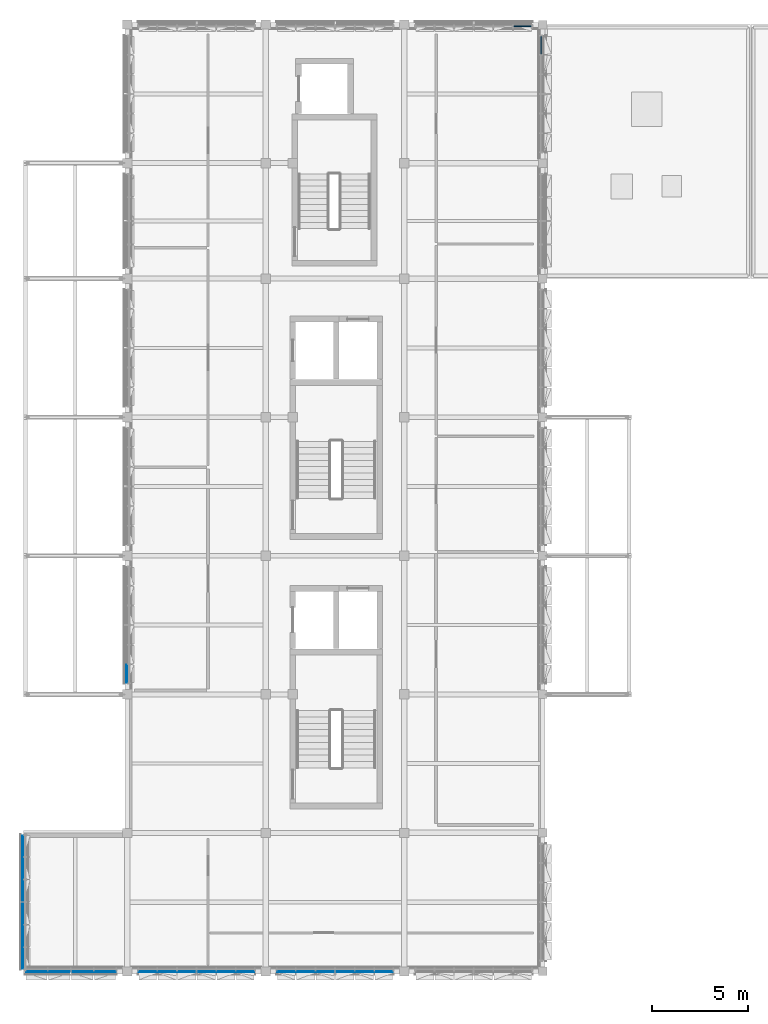
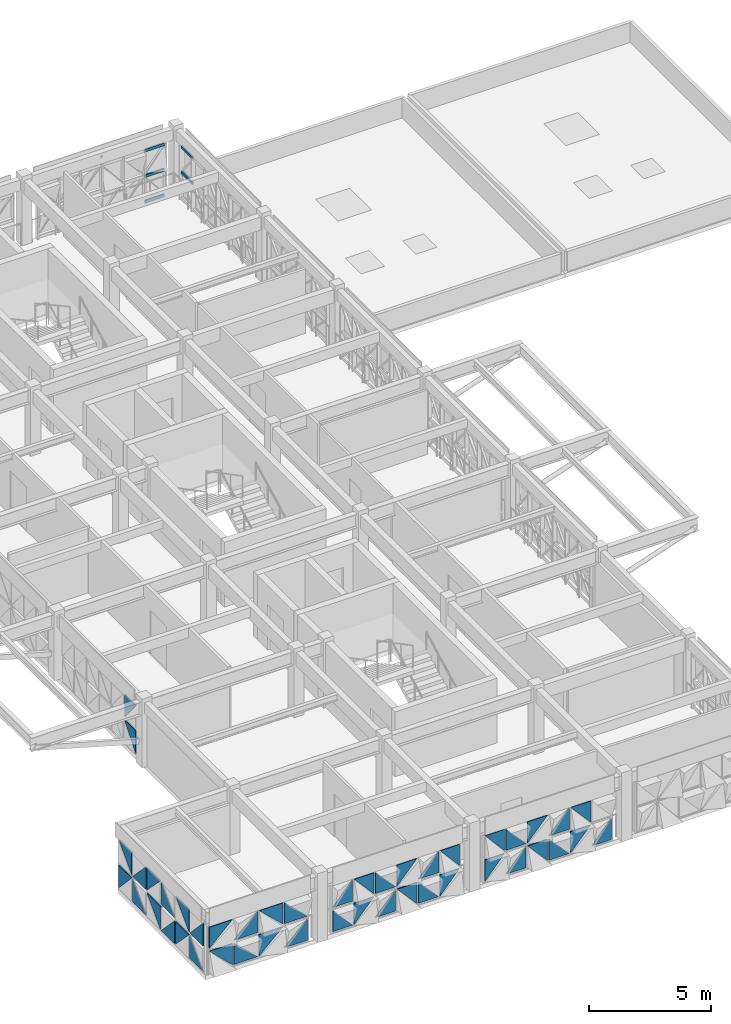
# One storey, part 11 of 30: 45 plates, 5 members, 7 elements without a shape of their own.
"""IFC4 building model written with IfcOpenShell, lengths in metres."""

from ifc_helpers import new_model, si_unit, direction, frame, origin, origin_2d, place, context, subcontext, project, spatial, polyline, rectangle, outline, extrude, material, layer, layer_set, material_profile, profile_set, type_object, element, aggregate, save


model = new_model("IFC4")

# Units and contexts
model_context = context("Model", 3, precision=1e-05, world=origin(), true_north=direction((0.0, 1.0)))
body_context = subcontext(model_context, "Body", "Model", "MODEL_VIEW")
ifc_project = project(units=[si_unit("LENGTHUNIT", "METRE"), si_unit("AREAUNIT", "SQUARE_METRE"), si_unit("VOLUMEUNIT", "CUBIC_METRE"), si_unit("PLANEANGLEUNIT", "RADIAN"), si_unit("MASSUNIT", "GRAM", prefix="KILO")], contexts=[model_context])

# Site, building, storey
site_placement = place(None, origin())
site = spatial("IfcSite", under=ifc_project, at=site_placement, CompositionType="ELEMENT")
building_placement = place(site_placement, origin())
building = spatial("IfcBuilding", under=site, at=building_placement, Name="Alvorim Cloister Faculty of Sciences", CompositionType="ELEMENT")
storey_placement = place(building_placement, frame((0.0, 0.0, 26.25)))
storey = spatial("IfcBuildingStorey", under=building, at=storey_placement, Name="L07", CompositionType="ELEMENT", Elevation=26.25)

# Curtain wall, members
ifc_material_1 = material(Name="Aluminium and Low-E Glass Curtain Wall", Category="aluminium")
curtain_wall_type_1 = type_object("IfcCurtainWallType", Name="CW-TRI-6120x2700", PredefinedType="USERDEFINED", material=ifc_material_1)
curtain_wall_1_placement = place(storey_placement, origin())
curtain_wall_1 = element("IfcCurtainWall", 1, at=curtain_wall_1_placement, inside=storey, type_object=curtain_wall_type_1, Name="L07 Diagonal Cassette Curtain Wall CW-0274", ObjectType="UNITISED CURTAIN WALL", PredefinedType="USERDEFINED")
ifc_material_2 = material(Name="Aluminium Alloy 6063-T6", Category="aluminium")
ifc_material_profile = material_profile(ifc_material_2, rectangle(XDim=0.06494140625, YDim=0.139892578125, at=origin_2d()), Name="ALU-TRN-65x140")
ifc_profile_set = profile_set([ifc_material_profile], Name="Aluminium Alloy 6063-T6")
member_type = type_object("IfcMemberType", Name="CW-TRN-65x140", PredefinedType="USERDEFINED", material=ifc_profile_set)
member_1_placement = place(storey_placement, frame((27.2724609375, 56.31005859375, 0.070068359375), z_axis=(1.0, 0.0, 0.0), x_axis=(0.0, 1.0, 0.0)))
member_1 = element("IfcMember", 2, at=member_1_placement, type_object=member_type, Name="CW-0274 Transom 6.1", ObjectType="TRANSOM", PredefinedType="USERDEFINED", context=body_context, shape_type="SweptSolid", body=[
    extrude(rectangle(XDim=0.06494140625, YDim=0.139892578125, at=origin_2d()), origin(), (0.0, 0.0, 1.0), 0.922607421875),
])
member_2_placement = place(storey_placement, frame((27.2724609375, 56.31005859375, 1.35009765625), z_axis=(1.0, 0.0, 0.0), x_axis=(0.0, 1.0, 0.0)))
member_2 = element("IfcMember", 3, at=member_2_placement, type_object=member_type, Name="CW-0274 Transom 6.2", ObjectType="TRANSOM", PredefinedType="USERDEFINED", context=body_context, shape_type="SweptSolid", body=[
    extrude(rectangle(XDim=0.06494140625, YDim=0.139892578125, at=origin_2d()), origin(), (0.0, 0.0, 1.0), 0.922607421875),
])
member_3_placement = place(storey_placement, frame((27.2724609375, 56.31005859375, 2.6298828125), z_axis=(1.0, 0.0, 0.0), x_axis=(0.0, 1.0, 0.0)))
member_3 = element("IfcMember", 4, at=member_3_placement, type_object=member_type, Name="CW-0274 Transom 6.3", ObjectType="TRANSOM", PredefinedType="USERDEFINED", context=body_context, shape_type="SweptSolid", body=[
    extrude(rectangle(XDim=0.06494140625, YDim=0.139892578125, at=origin_2d()), origin(), (0.0, 0.0, 1.0), 0.922607421875),
])
aggregate(curtain_wall_1, [member_1, member_2, member_3])

curtain_wall_2_placement = place(storey_placement, origin())
curtain_wall_2 = element("IfcCurtainWall", 5, at=curtain_wall_2_placement, inside=storey, type_object=curtain_wall_type_1, Name="L07 Diagonal Cassette Curtain Wall CW-0275", ObjectType="UNITISED CURTAIN WALL", PredefinedType="USERDEFINED")
member_4_placement = place(storey_placement, frame((28.7099609375, 54.87255859375, 1.35009765625), z_axis=(0.0, 1.0, 0.0), x_axis=(-1.0, 0.0, 0.0)))
member_4 = element("IfcMember", 6, at=member_4_placement, type_object=member_type, Name="CW-0275 Transom 6.2", ObjectType="TRANSOM", PredefinedType="USERDEFINED", context=body_context, shape_type="SweptSolid", body=[
    extrude(rectangle(XDim=0.06494140625, YDim=0.139892578125, at=origin_2d()), origin(), (0.0, 0.0, 1.0), 0.92236328125),
])
member_5_placement = place(storey_placement, frame((28.7099609375, 54.87255859375, 2.6298828125), z_axis=(0.0, 1.0, 0.0), x_axis=(-1.0, 0.0, 0.0)))
member_5 = element("IfcMember", 7, at=member_5_placement, type_object=member_type, Name="CW-0275 Transom 6.3", ObjectType="TRANSOM", PredefinedType="USERDEFINED", context=body_context, shape_type="SweptSolid", body=[
    extrude(rectangle(XDim=0.06494140625, YDim=0.139892578125, at=origin_2d()), origin(), (0.0, 0.0, 1.0), 0.92236328125),
])
aggregate(curtain_wall_2, [member_4, member_5])

# Curtain wall, plates
curtain_wall_type_2 = type_object("IfcCurtainWallType", Name="CW-TRI-6120x2556", PredefinedType="USERDEFINED", material=ifc_material_1)
curtain_wall_3_placement = place(storey_placement, origin())
curtain_wall_3 = element("IfcCurtainWall", 8, at=curtain_wall_3_placement, inside=storey, type_object=curtain_wall_type_2, Name="L07 Diagonal Cassette Curtain Wall CW-0263", ObjectType="UNITISED CURTAIN WALL", PredefinedType="USERDEFINED")
ifc_material_3 = material(Name="Double Low-E Laminated Glass", Category="glass")
ifc_layer = layer(ifc_material_3, 0.0400390625)
ifc_layer_set = layer_set([ifc_layer], Name="Double Low-E Laminated Glass")
plate_type = type_object("IfcPlateType", Name="PN-GLZ-40", PredefinedType="CURTAIN_PANEL", material=ifc_layer_set)
plate_1_placement = place(storey_placement, frame((15.0048828125, 7.175048828125, 0.139892578125), z_axis=(0.0, 0.0, 1.0), x_axis=(1.0, 0.0, 0.0)))
plate_1 = element("IfcPlate", 9, at=plate_1_placement, type_object=plate_type, Name="Diagonal Glazed Triangle TRI-TL", PredefinedType="CURTAIN_PANEL", context=body_context, shape_type="SweptSolid", body=[
    extrude(outline(polyline([(0.920654296875, 1.068115234375), (0.0, 1.068115234375), (0.0, 0.001953125), (0.920654296875, 1.068115234375)])), frame((0.0, 0.02490234375, 0.0), z_axis=(0.0, -1.0, 0.0), x_axis=(1.0, 0.0, 0.0)), (0.0, 0.0, 1.0), 0.050048828125),
])
plate_2_placement = place(storey_placement, frame((15.0048828125, 7.175048828125, 1.347900390625), z_axis=(0.0, 0.0, 1.0), x_axis=(1.0, 0.0, 0.0)))
plate_2 = element("IfcPlate", 10, at=plate_2_placement, type_object=plate_type, Name="Diagonal Glazed Triangle TRI-TR", PredefinedType="CURTAIN_PANEL", context=body_context, shape_type="SweptSolid", body=[
    extrude(outline(polyline([(0.922607421875, 0.001953125), (0.922607421875, 1.068115234375), (0.001953125, 1.068115234375), (0.922607421875, 0.001953125)])), frame((0.0, 0.02490234375, 0.0), z_axis=(0.0, -1.0, 0.0), x_axis=(1.0, 0.0, 0.0)), (0.0, 0.0, 1.0), 0.050048828125),
])
plate_3_placement = place(storey_placement, frame((15.992431640625, 7.175048828125, 0.139892578125), z_axis=(0.0, 0.0, 1.0), x_axis=(1.0, 0.0, 0.0)))
plate_3 = element("IfcPlate", 11, at=plate_3_placement, type_object=plate_type, Name="Diagonal Glazed Triangle TRI-BR", PredefinedType="CURTAIN_PANEL", context=body_context, shape_type="SweptSolid", body=[
    extrude(outline(polyline([(0.001953125, 0.0), (0.955078125, 0.0), (0.955078125, 1.066162109375), (0.001953125, 0.0)])), frame((0.0, 0.02490234375, 0.0), z_axis=(0.0, -1.0, 0.0), x_axis=(1.0, 0.0, 0.0)), (0.0, 0.0, 1.0), 0.050048828125),
])
plate_4_placement = place(storey_placement, frame((15.992431640625, 7.175048828125, 1.347900390625), z_axis=(0.0, 0.0, 1.0), x_axis=(1.0, 0.0, 0.0)))
plate_4 = element("IfcPlate", 12, at=plate_4_placement, type_object=plate_type, Name="Diagonal Glazed Triangle TRI-BL", PredefinedType="CURTAIN_PANEL", context=body_context, shape_type="SweptSolid", body=[
    extrude(outline(polyline([(0.0, 0.0), (0.953125, 0.0), (0.0, 1.066162109375), (0.0, 0.0)])), frame((0.0, 0.02490234375, 0.0), z_axis=(0.0, -1.0, 0.0), x_axis=(1.0, 0.0, 0.0)), (0.0, 0.0, 1.0), 0.050048828125),
])
plate_5_placement = place(storey_placement, frame((17.012451171875, 7.175048828125, 0.139892578125), z_axis=(0.0, 0.0, 1.0), x_axis=(1.0, 0.0, 0.0)))
plate_5 = element("IfcPlate", 13, at=plate_5_placement, type_object=plate_type, Name="Diagonal Glazed Triangle TRI-TR", PredefinedType="CURTAIN_PANEL", context=body_context, shape_type="SweptSolid", body=[
    extrude(outline(polyline([(0.955078125, 0.001953125), (0.955078125, 1.068115234375), (0.001953125, 1.068115234375), (0.955078125, 0.001953125)])), frame((0.0, 0.02490234375, 0.0), z_axis=(0.0, -1.0, 0.0), x_axis=(1.0, 0.0, 0.0)), (0.0, 0.0, 1.0), 0.050048828125),
])
plate_6_placement = place(storey_placement, frame((17.012451171875, 7.175048828125, 1.347900390625), z_axis=(0.0, 0.0, 1.0), x_axis=(1.0, 0.0, 0.0)))
plate_6 = element("IfcPlate", 14, at=plate_6_placement, type_object=plate_type, Name="Diagonal Glazed Triangle TRI-TL", PredefinedType="CURTAIN_PANEL", context=body_context, shape_type="SweptSolid", body=[
    extrude(outline(polyline([(0.953125, 1.068115234375), (0.0, 1.068115234375), (0.0, 0.001953125), (0.953125, 1.068115234375)])), frame((0.0, 0.02490234375, 0.0), z_axis=(0.0, -1.0, 0.0), x_axis=(1.0, 0.0, 0.0)), (0.0, 0.0, 1.0), 0.050048828125),
])
plate_7_placement = place(storey_placement, frame((18.032470703125, 7.175048828125, 0.139892578125), z_axis=(0.0, 0.0, 1.0), x_axis=(1.0, 0.0, 0.0)))
plate_7 = element("IfcPlate", 15, at=plate_7_placement, type_object=plate_type, Name="Diagonal Glazed Triangle TRI-BL", PredefinedType="CURTAIN_PANEL", context=body_context, shape_type="SweptSolid", body=[
    extrude(outline(polyline([(0.0, 0.0), (0.953125, 0.0), (0.0, 1.066162109375), (0.0, 0.0)])), frame((0.0, 0.02490234375, 0.0), z_axis=(0.0, -1.0, 0.0), x_axis=(1.0, 0.0, 0.0)), (0.0, 0.0, 1.0), 0.050048828125),
])
plate_8_placement = place(storey_placement, frame((18.032470703125, 7.175048828125, 1.347900390625), z_axis=(0.0, 0.0, 1.0), x_axis=(1.0, 0.0, 0.0)))
plate_8 = element("IfcPlate", 16, at=plate_8_placement, type_object=plate_type, Name="Diagonal Glazed Triangle TRI-BR", PredefinedType="CURTAIN_PANEL", context=body_context, shape_type="SweptSolid", body=[
    extrude(outline(polyline([(0.001953125, 0.0), (0.955078125, 0.0), (0.955078125, 1.066162109375), (0.001953125, 0.0)])), frame((0.0, 0.02490234375, 0.0), z_axis=(0.0, -1.0, 0.0), x_axis=(1.0, 0.0, 0.0)), (0.0, 0.0, 1.0), 0.050048828125),
])
plate_9_placement = place(storey_placement, frame((19.052490234375, 7.175048828125, 0.139892578125), z_axis=(0.0, 0.0, 1.0), x_axis=(1.0, 0.0, 0.0)))
plate_9 = element("IfcPlate", 17, at=plate_9_placement, type_object=plate_type, Name="Diagonal Glazed Triangle TRI-TL", PredefinedType="CURTAIN_PANEL", context=body_context, shape_type="SweptSolid", body=[
    extrude(outline(polyline([(0.953125, 1.068115234375), (0.0, 1.068115234375), (0.0, 0.001953125), (0.953125, 1.068115234375)])), frame((0.0, 0.02490234375, 0.0), z_axis=(0.0, -1.0, 0.0), x_axis=(1.0, 0.0, 0.0)), (0.0, 0.0, 1.0), 0.050048828125),
])
plate_10_placement = place(storey_placement, frame((19.052490234375, 7.175048828125, 1.347900390625), z_axis=(0.0, 0.0, 1.0), x_axis=(1.0, 0.0, 0.0)))
plate_10 = element("IfcPlate", 18, at=plate_10_placement, type_object=plate_type, Name="Diagonal Glazed Triangle TRI-TR", PredefinedType="CURTAIN_PANEL", context=body_context, shape_type="SweptSolid", body=[
    extrude(outline(polyline([(0.955078125, 0.001953125), (0.955078125, 1.068115234375), (0.001953125, 1.068115234375), (0.955078125, 0.001953125)])), frame((0.0, 0.02490234375, 0.0), z_axis=(0.0, -1.0, 0.0), x_axis=(1.0, 0.0, 0.0)), (0.0, 0.0, 1.0), 0.050048828125),
])
plate_11_placement = place(storey_placement, frame((20.072509765625, 7.175048828125, 0.139892578125), z_axis=(0.0, 0.0, 1.0), x_axis=(1.0, 0.0, 0.0)))
plate_11 = element("IfcPlate", 19, at=plate_11_placement, type_object=plate_type, Name="Diagonal Glazed Triangle TRI-BR", PredefinedType="CURTAIN_PANEL", context=body_context, shape_type="SweptSolid", body=[
    extrude(outline(polyline([(0.001953125, 0.0), (0.922607421875, 0.0), (0.922607421875, 1.066162109375), (0.001953125, 0.0)])), frame((0.0, 0.02490234375, 0.0), z_axis=(0.0, -1.0, 0.0), x_axis=(1.0, 0.0, 0.0)), (0.0, 0.0, 1.0), 0.050048828125),
])
aggregate(curtain_wall_3, [plate_1, plate_2, plate_3, plate_4, plate_5, plate_6, plate_7, plate_8, plate_9, plate_10, plate_11])

curtain_wall_4_placement = place(storey_placement, origin())
curtain_wall_4 = element("IfcCurtainWall", 20, at=curtain_wall_4_placement, inside=storey, type_object=curtain_wall_type_2, Name="L07 Diagonal Cassette Curtain Wall CW-0264", ObjectType="UNITISED CURTAIN WALL", PredefinedType="USERDEFINED")
plate_12_placement = place(storey_placement, frame((7.804931640625, 7.175048828125, 0.139892578125), z_axis=(0.0, 0.0, 1.0), x_axis=(1.0, 0.0, 0.0)))
plate_12 = element("IfcPlate", 21, at=plate_12_placement, type_object=plate_type, Name="Diagonal Glazed Triangle TRI-BL", PredefinedType="CURTAIN_PANEL", context=body_context, shape_type="SweptSolid", body=[
    extrude(outline(polyline([(0.0, 0.0), (0.920654296875, 0.0), (0.0, 1.066162109375), (0.0, 0.0)])), frame((0.0, 0.02490234375, 0.0), z_axis=(0.0, -1.0, 0.0), x_axis=(1.0, 0.0, 0.0)), (0.0, 0.0, 1.0), 0.050048828125),
])
plate_13_placement = place(storey_placement, frame((7.804931640625, 7.175048828125, 1.347900390625), z_axis=(0.0, 0.0, 1.0), x_axis=(1.0, 0.0, 0.0)))
plate_13 = element("IfcPlate", 22, at=plate_13_placement, type_object=plate_type, Name="Diagonal Glazed Triangle TRI-BR", PredefinedType="CURTAIN_PANEL", context=body_context, shape_type="SweptSolid", body=[
    extrude(outline(polyline([(0.001953125, 0.0), (0.922607421875, 0.0), (0.922607421875, 1.066162109375), (0.001953125, 0.0)])), frame((0.0, 0.02490234375, 0.0), z_axis=(0.0, -1.0, 0.0), x_axis=(1.0, 0.0, 0.0)), (0.0, 0.0, 1.0), 0.050048828125),
])
plate_14_placement = place(storey_placement, frame((8.79248046875, 7.175048828125, 0.139892578125), z_axis=(0.0, 0.0, 1.0), x_axis=(1.0, 0.0, 0.0)))
plate_14 = element("IfcPlate", 23, at=plate_14_placement, type_object=plate_type, Name="Diagonal Glazed Triangle TRI-TL", PredefinedType="CURTAIN_PANEL", context=body_context, shape_type="SweptSolid", body=[
    extrude(outline(polyline([(0.953125, 1.068115234375), (0.0, 1.068115234375), (0.0, 0.001953125), (0.953125, 1.068115234375)])), frame((0.0, 0.02490234375, 0.0), z_axis=(0.0, -1.0, 0.0), x_axis=(1.0, 0.0, 0.0)), (0.0, 0.0, 1.0), 0.050048828125),
])
plate_15_placement = place(storey_placement, frame((8.79248046875, 7.175048828125, 1.347900390625), z_axis=(0.0, 0.0, 1.0), x_axis=(1.0, 0.0, 0.0)))
plate_15 = element("IfcPlate", 24, at=plate_15_placement, type_object=plate_type, Name="Diagonal Glazed Triangle TRI-TR", PredefinedType="CURTAIN_PANEL", context=body_context, shape_type="SweptSolid", body=[
    extrude(outline(polyline([(0.955078125, 0.001953125), (0.955078125, 1.068115234375), (0.001953125, 1.068115234375), (0.955078125, 0.001953125)])), frame((0.0, 0.02490234375, 0.0), z_axis=(0.0, -1.0, 0.0), x_axis=(1.0, 0.0, 0.0)), (0.0, 0.0, 1.0), 0.050048828125),
])
plate_16_placement = place(storey_placement, frame((9.8125, 7.175048828125, 0.139892578125), z_axis=(0.0, 0.0, 1.0), x_axis=(1.0, 0.0, 0.0)))
plate_16 = element("IfcPlate", 25, at=plate_16_placement, type_object=plate_type, Name="Diagonal Glazed Triangle TRI-BR", PredefinedType="CURTAIN_PANEL", context=body_context, shape_type="SweptSolid", body=[
    extrude(outline(polyline([(0.001953125, 0.0), (0.955078125, 0.0), (0.955078125, 1.066162109375), (0.001953125, 0.0)])), frame((0.0, 0.02490234375, 0.0), z_axis=(0.0, -1.0, 0.0), x_axis=(1.0, 0.0, 0.0)), (0.0, 0.0, 1.0), 0.050048828125),
])
plate_17_placement = place(storey_placement, frame((9.8125, 7.175048828125, 1.347900390625), z_axis=(0.0, 0.0, 1.0), x_axis=(1.0, 0.0, 0.0)))
plate_17 = element("IfcPlate", 26, at=plate_17_placement, type_object=plate_type, Name="Diagonal Glazed Triangle TRI-BL", PredefinedType="CURTAIN_PANEL", context=body_context, shape_type="SweptSolid", body=[
    extrude(outline(polyline([(0.0, 0.0), (0.953125, 0.0), (0.0, 1.066162109375), (0.0, 0.0)])), frame((0.0, 0.02490234375, 0.0), z_axis=(0.0, -1.0, 0.0), x_axis=(1.0, 0.0, 0.0)), (0.0, 0.0, 1.0), 0.050048828125),
])
plate_18_placement = place(storey_placement, frame((10.83251953125, 7.175048828125, 0.139892578125), z_axis=(0.0, 0.0, 1.0), x_axis=(1.0, 0.0, 0.0)))
plate_18 = element("IfcPlate", 27, at=plate_18_placement, type_object=plate_type, Name="Diagonal Glazed Triangle TRI-TR", PredefinedType="CURTAIN_PANEL", context=body_context, shape_type="SweptSolid", body=[
    extrude(outline(polyline([(0.955078125, 0.001953125), (0.955078125, 1.068115234375), (0.001953125, 1.068115234375), (0.955078125, 0.001953125)])), frame((0.0, 0.02490234375, 0.0), z_axis=(0.0, -1.0, 0.0), x_axis=(1.0, 0.0, 0.0)), (0.0, 0.0, 1.0), 0.050048828125),
])
plate_19_placement = place(storey_placement, frame((10.83251953125, 7.175048828125, 1.347900390625), z_axis=(0.0, 0.0, 1.0), x_axis=(1.0, 0.0, 0.0)))
plate_19 = element("IfcPlate", 28, at=plate_19_placement, type_object=plate_type, Name="Diagonal Glazed Triangle TRI-TL", PredefinedType="CURTAIN_PANEL", context=body_context, shape_type="SweptSolid", body=[
    extrude(outline(polyline([(0.953125, 1.068115234375), (0.0, 1.068115234375), (0.0, 0.001953125), (0.953125, 1.068115234375)])), frame((0.0, 0.02490234375, 0.0), z_axis=(0.0, -1.0, 0.0), x_axis=(1.0, 0.0, 0.0)), (0.0, 0.0, 1.0), 0.050048828125),
])
plate_20_placement = place(storey_placement, frame((11.8525390625, 7.175048828125, 0.139892578125), z_axis=(0.0, 0.0, 1.0), x_axis=(1.0, 0.0, 0.0)))
plate_20 = element("IfcPlate", 29, at=plate_20_placement, type_object=plate_type, Name="Diagonal Glazed Triangle TRI-BL", PredefinedType="CURTAIN_PANEL", context=body_context, shape_type="SweptSolid", body=[
    extrude(outline(polyline([(0.0, 0.0), (0.953125, 0.0), (0.0, 1.066162109375), (0.0, 0.0)])), frame((0.0, 0.02490234375, 0.0), z_axis=(0.0, -1.0, 0.0), x_axis=(1.0, 0.0, 0.0)), (0.0, 0.0, 1.0), 0.050048828125),
])
plate_21_placement = place(storey_placement, frame((11.8525390625, 7.175048828125, 1.347900390625), z_axis=(0.0, 0.0, 1.0), x_axis=(1.0, 0.0, 0.0)))
plate_21 = element("IfcPlate", 30, at=plate_21_placement, type_object=plate_type, Name="Diagonal Glazed Triangle TRI-BR", PredefinedType="CURTAIN_PANEL", context=body_context, shape_type="SweptSolid", body=[
    extrude(outline(polyline([(0.001953125, 0.0), (0.955078125, 0.0), (0.955078125, 1.066162109375), (0.001953125, 0.0)])), frame((0.0, 0.02490234375, 0.0), z_axis=(0.0, -1.0, 0.0), x_axis=(1.0, 0.0, 0.0)), (0.0, 0.0, 1.0), 0.050048828125),
])
plate_22_placement = place(storey_placement, frame((12.87255859375, 7.175048828125, 0.139892578125), z_axis=(0.0, 0.0, 1.0), x_axis=(1.0, 0.0, 0.0)))
plate_22 = element("IfcPlate", 31, at=plate_22_placement, type_object=plate_type, Name="Diagonal Glazed Triangle TRI-TL", PredefinedType="CURTAIN_PANEL", context=body_context, shape_type="SweptSolid", body=[
    extrude(outline(polyline([(0.920654296875, 1.068115234375), (0.0, 1.068115234375), (0.0, 0.001953125), (0.920654296875, 1.068115234375)])), frame((0.0, 0.02490234375, 0.0), z_axis=(0.0, -1.0, 0.0), x_axis=(1.0, 0.0, 0.0)), (0.0, 0.0, 1.0), 0.050048828125),
])
plate_23_placement = place(storey_placement, frame((12.87255859375, 7.175048828125, 1.347900390625), z_axis=(0.0, 0.0, 1.0), x_axis=(1.0, 0.0, 0.0)))
plate_23 = element("IfcPlate", 32, at=plate_23_placement, type_object=plate_type, Name="Diagonal Glazed Triangle TRI-TR", PredefinedType="CURTAIN_PANEL", context=body_context, shape_type="SweptSolid", body=[
    extrude(outline(polyline([(0.922607421875, 0.001953125), (0.922607421875, 1.068115234375), (0.001953125, 1.068115234375), (0.922607421875, 0.001953125)])), frame((0.0, 0.02490234375, 0.0), z_axis=(0.0, -1.0, 0.0), x_axis=(1.0, 0.0, 0.0)), (0.0, 0.0, 1.0), 0.050048828125),
])
aggregate(curtain_wall_4, [plate_12, plate_13, plate_14, plate_15, plate_16, plate_17, plate_18, plate_19, plate_20, plate_21, plate_22, plate_23])

curtain_wall_type_3 = type_object("IfcCurtainWallType", Name="CW-TRI-4780x2556", PredefinedType="USERDEFINED", material=ifc_material_1)
curtain_wall_5_placement = place(storey_placement, origin())
curtain_wall_5 = element("IfcCurtainWall", 33, at=curtain_wall_5_placement, inside=storey, type_object=curtain_wall_type_3, Name="L07 Diagonal Cassette Curtain Wall CW-0265", ObjectType="UNITISED CURTAIN WALL", PredefinedType="USERDEFINED")
plate_24_placement = place(storey_placement, frame((1.945068359375, 7.175048828125, 0.139892578125), z_axis=(0.0, 0.0, 1.0), x_axis=(1.0, 0.0, 0.0)))
plate_24 = element("IfcPlate", 34, at=plate_24_placement, type_object=plate_type, Name="Diagonal Glazed Triangle TRI-TR", PredefinedType="CURTAIN_PANEL", context=body_context, shape_type="SweptSolid", body=[
    extrude(outline(polyline([(1.097412109375, 0.001953125), (1.097412109375, 1.068115234375), (0.001953125, 1.068115234375), (1.097412109375, 0.001953125)])), frame((0.0, 0.02490234375, 0.0), z_axis=(0.0, -1.0, 0.0), x_axis=(1.0, 0.0, 0.0)), (0.0, 0.0, 1.0), 0.050048828125),
])
plate_25_placement = place(storey_placement, frame((1.945068359375, 7.175048828125, 1.347900390625), z_axis=(0.0, 0.0, 1.0), x_axis=(1.0, 0.0, 0.0)))
plate_25 = element("IfcPlate", 35, at=plate_25_placement, type_object=plate_type, Name="Diagonal Glazed Triangle TRI-TL", PredefinedType="CURTAIN_PANEL", context=body_context, shape_type="SweptSolid", body=[
    extrude(outline(polyline([(1.095458984375, 1.068115234375), (0.0, 1.068115234375), (0.0, 0.001953125), (1.095458984375, 1.068115234375)])), frame((0.0, 0.02490234375, 0.0), z_axis=(0.0, -1.0, 0.0), x_axis=(1.0, 0.0, 0.0)), (0.0, 0.0, 1.0), 0.050048828125),
])
plate_26_placement = place(storey_placement, frame((3.107421875, 7.175048828125, 0.139892578125), z_axis=(0.0, 0.0, 1.0), x_axis=(1.0, 0.0, 0.0)))
plate_26 = element("IfcPlate", 36, at=plate_26_placement, type_object=plate_type, Name="Diagonal Glazed Triangle TRI-BL", PredefinedType="CURTAIN_PANEL", context=body_context, shape_type="SweptSolid", body=[
    extrude(outline(polyline([(0.0, 0.0), (1.1279296875, 0.0), (0.0, 1.066162109375), (0.0, 0.0)])), frame((0.0, 0.02490234375, 0.0), z_axis=(0.0, -1.0, 0.0), x_axis=(1.0, 0.0, 0.0)), (0.0, 0.0, 1.0), 0.050048828125),
])
plate_27_placement = place(storey_placement, frame((3.107421875, 7.175048828125, 1.347900390625), z_axis=(0.0, 0.0, 1.0), x_axis=(1.0, 0.0, 0.0)))
plate_27 = element("IfcPlate", 37, at=plate_27_placement, type_object=plate_type, Name="Diagonal Glazed Triangle TRI-BR", PredefinedType="CURTAIN_PANEL", context=body_context, shape_type="SweptSolid", body=[
    extrude(outline(polyline([(0.001953125, 0.0), (1.1298828125, 0.0), (1.1298828125, 1.066162109375), (0.001953125, 0.0)])), frame((0.0, 0.02490234375, 0.0), z_axis=(0.0, -1.0, 0.0), x_axis=(1.0, 0.0, 0.0)), (0.0, 0.0, 1.0), 0.050048828125),
])
plate_28_placement = place(storey_placement, frame((4.302490234375, 7.175048828125, 0.139892578125), z_axis=(0.0, 0.0, 1.0), x_axis=(1.0, 0.0, 0.0)))
plate_28 = element("IfcPlate", 38, at=plate_28_placement, type_object=plate_type, Name="Diagonal Glazed Triangle TRI-TL", PredefinedType="CURTAIN_PANEL", context=body_context, shape_type="SweptSolid", body=[
    extrude(outline(polyline([(1.1279296875, 1.068115234375), (0.0, 1.068115234375), (0.0, 0.001953125), (1.1279296875, 1.068115234375)])), frame((0.0, 0.02490234375, 0.0), z_axis=(0.0, -1.0, 0.0), x_axis=(1.0, 0.0, 0.0)), (0.0, 0.0, 1.0), 0.050048828125),
])
plate_29_placement = place(storey_placement, frame((4.302490234375, 7.175048828125, 1.347900390625), z_axis=(0.0, 0.0, 1.0), x_axis=(1.0, 0.0, 0.0)))
plate_29 = element("IfcPlate", 39, at=plate_29_placement, type_object=plate_type, Name="Diagonal Glazed Triangle TRI-TR", PredefinedType="CURTAIN_PANEL", context=body_context, shape_type="SweptSolid", body=[
    extrude(outline(polyline([(1.1298828125, 0.001953125), (1.1298828125, 1.068115234375), (0.001953125, 1.068115234375), (1.1298828125, 0.001953125)])), frame((0.0, 0.02490234375, 0.0), z_axis=(0.0, -1.0, 0.0), x_axis=(1.0, 0.0, 0.0)), (0.0, 0.0, 1.0), 0.050048828125),
])
plate_30_placement = place(storey_placement, frame((5.49755859375, 7.175048828125, 0.139892578125), z_axis=(0.0, 0.0, 1.0), x_axis=(1.0, 0.0, 0.0)))
plate_30 = element("IfcPlate", 40, at=plate_30_placement, type_object=plate_type, Name="Diagonal Glazed Triangle TRI-BR", PredefinedType="CURTAIN_PANEL", context=body_context, shape_type="SweptSolid", body=[
    extrude(outline(polyline([(0.001953125, 0.0), (1.097412109375, 0.0), (1.097412109375, 1.066162109375), (0.001953125, 0.0)])), frame((0.0, 0.02490234375, 0.0), z_axis=(0.0, -1.0, 0.0), x_axis=(1.0, 0.0, 0.0)), (0.0, 0.0, 1.0), 0.050048828125),
])
plate_31_placement = place(storey_placement, frame((5.49755859375, 7.175048828125, 1.347900390625), z_axis=(0.0, 0.0, 1.0), x_axis=(1.0, 0.0, 0.0)))
plate_31 = element("IfcPlate", 41, at=plate_31_placement, type_object=plate_type, Name="Diagonal Glazed Triangle TRI-BL", PredefinedType="CURTAIN_PANEL", context=body_context, shape_type="SweptSolid", body=[
    extrude(outline(polyline([(0.0, 0.0), (1.095458984375, 0.0), (0.0, 1.066162109375), (0.0, 0.0)])), frame((0.0, 0.02490234375, 0.0), z_axis=(0.0, -1.0, 0.0), x_axis=(1.0, 0.0, 0.0)), (0.0, 0.0, 1.0), 0.050048828125),
])
aggregate(curtain_wall_5, [plate_24, plate_25, plate_26, plate_27, plate_28, plate_29, plate_30, plate_31])

curtain_wall_type_4 = type_object("IfcCurtainWallType", Name="CW-TRI-7040x2707", PredefinedType="USERDEFINED", material=ifc_material_1)
curtain_wall_6_placement = place(storey_placement, origin())
curtain_wall_6 = element("IfcCurtainWall", 42, at=curtain_wall_6_placement, inside=storey, type_object=curtain_wall_type_4, Name="L07 Diagonal Cassette Curtain Wall CW-0266", ObjectType="UNITISED CURTAIN WALL", PredefinedType="USERDEFINED")
plate_32_placement = place(storey_placement, frame((1.77490234375, 7.344970703125, 0.139892578125), z_axis=(0.0, 0.0, 1.0), x_axis=(0.0, 1.0, 0.0)))
plate_32 = element("IfcPlate", 43, at=plate_32_placement, type_object=plate_type, Name="Diagonal Glazed Triangle TRI-BR", PredefinedType="CURTAIN_PANEL", context=body_context, shape_type="SweptSolid", body=[
    extrude(outline(polyline([(0.001953125, 0.0), (1.075927734375, 0.0), (1.075927734375, 1.1416015625), (0.001953125, 0.0)])), frame((0.0, 0.02490234375, 0.0), z_axis=(0.0, -1.0, 0.0), x_axis=(1.0, 0.0, 0.0)), (0.0, 0.0, 1.0), 0.050048828125),
])
plate_33_placement = place(storey_placement, frame((1.77490234375, 7.344970703125, 1.423583984375), z_axis=(0.0, 0.0, 1.0), x_axis=(0.0, 1.0, 0.0)))
plate_33 = element("IfcPlate", 44, at=plate_33_placement, type_object=plate_type, Name="Diagonal Glazed Triangle TRI-BL", PredefinedType="CURTAIN_PANEL", context=body_context, shape_type="SweptSolid", body=[
    extrude(outline(polyline([(0.0, 0.0), (1.073974609375, 0.0), (0.0, 1.141357421875), (0.0, 0.0)])), frame((0.0, 0.02490234375, 0.0), z_axis=(0.0, -1.0, 0.0), x_axis=(1.0, 0.0, 0.0)), (0.0, 0.0, 1.0), 0.050048828125),
])
plate_34_placement = place(storey_placement, frame((1.77490234375, 8.48583984375, 0.139892578125), z_axis=(0.0, 0.0, 1.0), x_axis=(0.0, 1.0, 0.0)))
plate_34 = element("IfcPlate", 45, at=plate_34_placement, type_object=plate_type, Name="Diagonal Glazed Triangle TRI-TR", PredefinedType="CURTAIN_PANEL", context=body_context, shape_type="SweptSolid", body=[
    extrude(outline(polyline([(1.1083984375, 0.001953125), (1.1083984375, 1.1435546875), (0.001953125, 1.1435546875), (1.1083984375, 0.001953125)])), frame((0.0, 0.02490234375, 0.0), z_axis=(0.0, -1.0, 0.0), x_axis=(1.0, 0.0, 0.0)), (0.0, 0.0, 1.0), 0.050048828125),
])
plate_35_placement = place(storey_placement, frame((1.77490234375, 8.48583984375, 1.423583984375), z_axis=(0.0, 0.0, 1.0), x_axis=(0.0, 1.0, 0.0)))
plate_35 = element("IfcPlate", 46, at=plate_35_placement, type_object=plate_type, Name="Diagonal Glazed Triangle TRI-TL", PredefinedType="CURTAIN_PANEL", context=body_context, shape_type="SweptSolid", body=[
    extrude(outline(polyline([(1.1064453125, 1.143310546875), (0.0, 1.143310546875), (0.0, 0.001953125), (1.1064453125, 1.143310546875)])), frame((0.0, 0.02490234375, 0.0), z_axis=(0.0, -1.0, 0.0), x_axis=(1.0, 0.0, 0.0)), (0.0, 0.0, 1.0), 0.050048828125),
])
plate_36_placement = place(storey_placement, frame((1.77490234375, 9.6591796875, 0.139892578125), z_axis=(0.0, 0.0, 1.0), x_axis=(0.0, 1.0, 0.0)))
plate_36 = element("IfcPlate", 47, at=plate_36_placement, type_object=plate_type, Name="Diagonal Glazed Triangle TRI-BL", PredefinedType="CURTAIN_PANEL", context=body_context, shape_type="SweptSolid", body=[
    extrude(outline(polyline([(0.0, 0.0), (1.1064453125, 0.0), (0.0, 1.1416015625), (0.0, 0.0)])), frame((0.0, 0.02490234375, 0.0), z_axis=(0.0, -1.0, 0.0), x_axis=(1.0, 0.0, 0.0)), (0.0, 0.0, 1.0), 0.050048828125),
])
plate_37_placement = place(storey_placement, frame((1.77490234375, 9.6591796875, 1.423583984375), z_axis=(0.0, 0.0, 1.0), x_axis=(0.0, 1.0, 0.0)))
plate_37 = element("IfcPlate", 48, at=plate_37_placement, type_object=plate_type, Name="Diagonal Glazed Triangle TRI-BR", PredefinedType="CURTAIN_PANEL", context=body_context, shape_type="SweptSolid", body=[
    extrude(outline(polyline([(0.001953125, 0.0), (1.1083984375, 0.0), (1.1083984375, 1.141357421875), (0.001953125, 0.0)])), frame((0.0, 0.02490234375, 0.0), z_axis=(0.0, -1.0, 0.0), x_axis=(1.0, 0.0, 0.0)), (0.0, 0.0, 1.0), 0.050048828125),
])
plate_38_placement = place(storey_placement, frame((1.77490234375, 10.83251953125, 0.139892578125), z_axis=(0.0, 0.0, 1.0), x_axis=(0.0, 1.0, 0.0)))
plate_38 = element("IfcPlate", 49, at=plate_38_placement, type_object=plate_type, Name="Diagonal Glazed Triangle TRI-TL", PredefinedType="CURTAIN_PANEL", context=body_context, shape_type="SweptSolid", body=[
    extrude(outline(polyline([(1.1064453125, 1.1435546875), (0.0, 1.1435546875), (0.0, 0.001953125), (1.1064453125, 1.1435546875)])), frame((0.0, 0.02490234375, 0.0), z_axis=(0.0, -1.0, 0.0), x_axis=(1.0, 0.0, 0.0)), (0.0, 0.0, 1.0), 0.050048828125),
])
plate_39_placement = place(storey_placement, frame((1.77490234375, 10.83251953125, 1.423583984375), z_axis=(0.0, 0.0, 1.0), x_axis=(0.0, 1.0, 0.0)))
plate_39 = element("IfcPlate", 50, at=plate_39_placement, type_object=plate_type, Name="Diagonal Glazed Triangle TRI-TR", PredefinedType="CURTAIN_PANEL", context=body_context, shape_type="SweptSolid", body=[
    extrude(outline(polyline([(1.1083984375, 0.001953125), (1.1083984375, 1.143310546875), (0.001953125, 1.143310546875), (1.1083984375, 0.001953125)])), frame((0.0, 0.02490234375, 0.0), z_axis=(0.0, -1.0, 0.0), x_axis=(1.0, 0.0, 0.0)), (0.0, 0.0, 1.0), 0.050048828125),
])
plate_40_placement = place(storey_placement, frame((1.77490234375, 12.005859375, 0.139892578125), z_axis=(0.0, 0.0, 1.0), x_axis=(0.0, 1.0, 0.0)))
plate_40 = element("IfcPlate", 51, at=plate_40_placement, type_object=plate_type, Name="Diagonal Glazed Triangle TRI-BR", PredefinedType="CURTAIN_PANEL", context=body_context, shape_type="SweptSolid", body=[
    extrude(outline(polyline([(0.001953125, 0.0), (1.1083984375, 0.0), (1.1083984375, 1.1416015625), (0.001953125, 0.0)])), frame((0.0, 0.02490234375, 0.0), z_axis=(0.0, -1.0, 0.0), x_axis=(1.0, 0.0, 0.0)), (0.0, 0.0, 1.0), 0.050048828125),
])
plate_41_placement = place(storey_placement, frame((1.77490234375, 12.005859375, 1.423583984375), z_axis=(0.0, 0.0, 1.0), x_axis=(0.0, 1.0, 0.0)))
plate_41 = element("IfcPlate", 52, at=plate_41_placement, type_object=plate_type, Name="Diagonal Glazed Triangle TRI-BL", PredefinedType="CURTAIN_PANEL", context=body_context, shape_type="SweptSolid", body=[
    extrude(outline(polyline([(0.0, 0.0), (1.1064453125, 0.0), (0.0, 1.141357421875), (0.0, 0.0)])), frame((0.0, 0.02490234375, 0.0), z_axis=(0.0, -1.0, 0.0), x_axis=(1.0, 0.0, 0.0)), (0.0, 0.0, 1.0), 0.050048828125),
])
plate_42_placement = place(storey_placement, frame((1.77490234375, 13.17919921875, 0.139892578125), z_axis=(0.0, 0.0, 1.0), x_axis=(0.0, 1.0, 0.0)))
plate_42 = element("IfcPlate", 53, at=plate_42_placement, type_object=plate_type, Name="Diagonal Glazed Triangle TRI-TR", PredefinedType="CURTAIN_PANEL", context=body_context, shape_type="SweptSolid", body=[
    extrude(outline(polyline([(1.075927734375, 0.001953125), (1.075927734375, 1.1435546875), (0.001953125, 1.1435546875), (1.075927734375, 0.001953125)])), frame((0.0, 0.02490234375, 0.0), z_axis=(0.0, -1.0, 0.0), x_axis=(1.0, 0.0, 0.0)), (0.0, 0.0, 1.0), 0.050048828125),
])
plate_43_placement = place(storey_placement, frame((1.77490234375, 13.17919921875, 1.423583984375), z_axis=(0.0, 0.0, 1.0), x_axis=(0.0, 1.0, 0.0)))
plate_43 = element("IfcPlate", 54, at=plate_43_placement, type_object=plate_type, Name="Diagonal Glazed Triangle TRI-TL", PredefinedType="CURTAIN_PANEL", context=body_context, shape_type="SweptSolid", body=[
    extrude(outline(polyline([(1.073974609375, 1.143310546875), (0.0, 1.143310546875), (0.0, 0.001953125), (1.073974609375, 1.143310546875)])), frame((0.0, 0.02490234375, 0.0), z_axis=(0.0, -1.0, 0.0), x_axis=(1.0, 0.0, 0.0)), (0.0, 0.0, 1.0), 0.050048828125),
])
aggregate(curtain_wall_6, [plate_32, plate_33, plate_34, plate_35, plate_36, plate_37, plate_38, plate_39, plate_40, plate_41, plate_42, plate_43])

curtain_wall_7_placement = place(storey_placement, origin())
curtain_wall_7 = element("IfcCurtainWall", 55, at=curtain_wall_7_placement, inside=storey, type_object=curtain_wall_type_1, Name="L07 Diagonal Cassette Curtain Wall CW-0267", ObjectType="UNITISED CURTAIN WALL", PredefinedType="USERDEFINED")
plate_44_placement = place(storey_placement, frame((7.175048828125, 22.205078125, 0.139892578125), z_axis=(0.0, 0.0, 1.0), x_axis=(0.0, 1.0, 0.0)))
plate_44 = element("IfcPlate", 56, at=plate_44_placement, type_object=plate_type, Name="Diagonal Glazed Triangle TRI-TL", PredefinedType="CURTAIN_PANEL", context=body_context, shape_type="SweptSolid", body=[
    extrude(outline(polyline([(0.920654296875, 1.14013671875), (0.0, 1.14013671875), (0.0, 0.001953125), (0.920654296875, 1.14013671875)])), frame((0.0, 0.02490234375, 0.0), z_axis=(0.0, -1.0, 0.0), x_axis=(1.0, 0.0, 0.0)), (0.0, 0.0, 1.0), 0.050048828125),
])
plate_45_placement = place(storey_placement, frame((7.175048828125, 22.205078125, 1.419921875), z_axis=(0.0, 0.0, 1.0), x_axis=(0.0, 1.0, 0.0)))
plate_45 = element("IfcPlate", 57, at=plate_45_placement, type_object=plate_type, Name="Diagonal Glazed Triangle TRI-TR", PredefinedType="CURTAIN_PANEL", context=body_context, shape_type="SweptSolid", body=[
    extrude(outline(polyline([(0.922607421875, 0.001953125), (0.922607421875, 1.14013671875), (0.001953125, 1.14013671875), (0.922607421875, 0.001953125)])), frame((0.0, 0.02490234375, 0.0), z_axis=(0.0, -1.0, 0.0), x_axis=(1.0, 0.0, 0.0)), (0.0, 0.0, 1.0), 0.050048828125),
])
aggregate(curtain_wall_7, [plate_44, plate_45])

save(model, "model.ifc")
